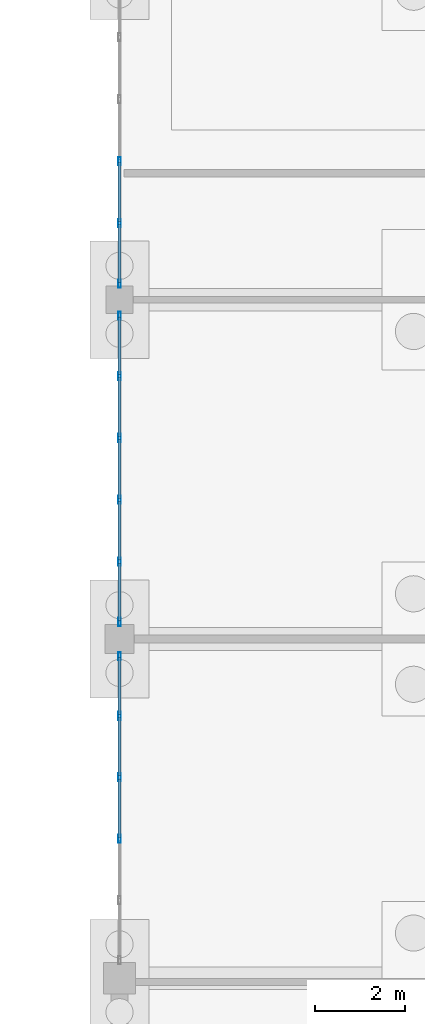
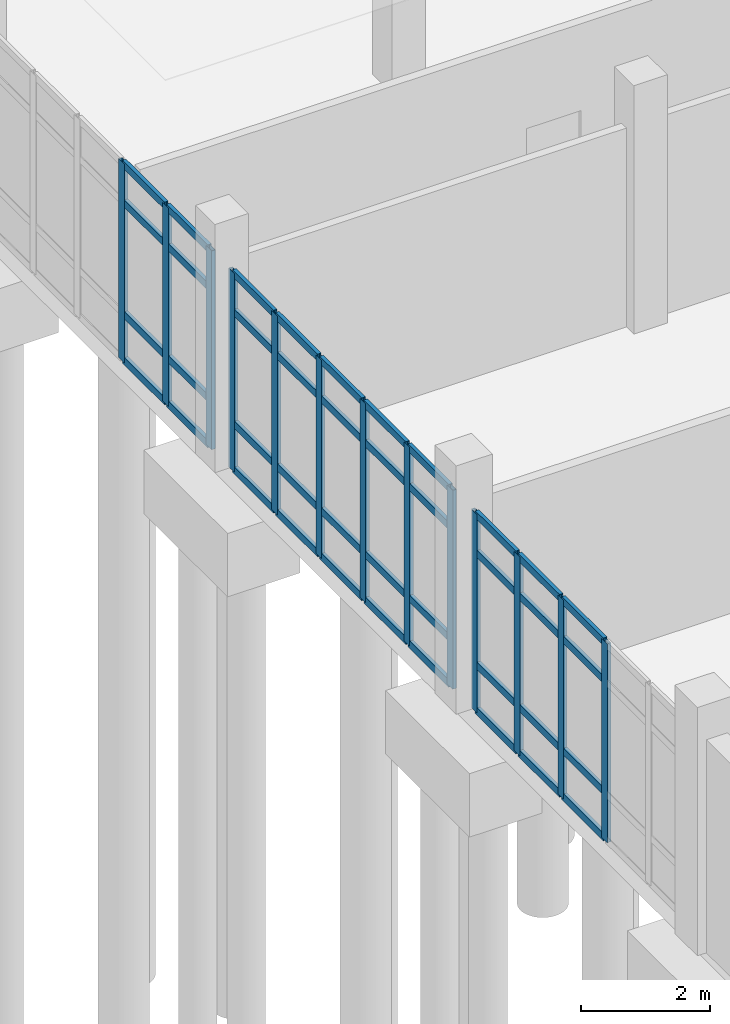
# One storey, part 41 of 173: 53 members, 3 elements without a shape of their own.
"""IFC4 building model written with IfcOpenShell, lengths in metres."""

from ifc_helpers import new_model, si_unit, direction, frame, origin, origin_2d, place, context, subcontext, project, spatial, hollow_rectangle, extrude, material, layer, layer_set, material_profile, profile_set, type_object, element, aggregate, save


model = new_model("IFC4")

# Units and contexts
model_context = context("Model", 3, precision=1e-05, world=origin(), true_north=direction((0.0, 1.0)))
body_context = subcontext(model_context, "Body", "Model", "MODEL_VIEW")
ifc_project = project(units=[si_unit("LENGTHUNIT", "METRE"), si_unit("AREAUNIT", "SQUARE_METRE"), si_unit("VOLUMEUNIT", "CUBIC_METRE"), si_unit("PLANEANGLEUNIT", "RADIAN"), si_unit("MASSUNIT", "GRAM", prefix="KILO")], contexts=[model_context])

# Site, building, storey
site_placement = place(None, origin())
site = spatial("IfcSite", under=ifc_project, at=site_placement, CompositionType="ELEMENT")
building_placement = place(site_placement, origin())
building = spatial("IfcBuilding", under=site, at=building_placement, Name="Mawjan Specialist Oncology Clinic", CompositionType="ELEMENT")
storey_placement = place(building_placement, origin())
storey = spatial("IfcBuildingStorey", under=building, at=storey_placement, Name="L00", CompositionType="ELEMENT", Elevation=0.0)

# Curtain wall, members
ifc_material_1 = material(Name="Unitised spectrally selective aluminium curtain wall", Category="aluminium")
ifc_layer_1 = layer(ifc_material_1, 0.179931640625, Name="Unitised spectrally selective aluminium curtain wall", Category="aluminium")
ifc_layer_set_1 = layer_set([ifc_layer_1], Name="Unitised spectrally selective aluminium curtain wall")
curtain_wall_type_1 = type_object("IfcCurtainWallType", Name="CW-03", PredefinedType="NOTDEFINED", material=ifc_layer_set_1)
curtain_wall_1_placement = place(storey_placement, origin())
curtain_wall_1 = element("IfcCurtainWall", 1, at=curtain_wall_1_placement, inside=storey, type_object=curtain_wall_type_1, Name="L00 Unitised Curtain Wall CW-L00-005", PredefinedType="NOTDEFINED")
ifc_material_2 = material(Name="Thermally broken aluminium 6063-T6", Category="aluminium")
ifc_material_profile_1 = material_profile(ifc_material_2, hollow_rectangle(XDim=0.06494140625, YDim=0.179931640625, WallThickness=0.00390625, at=origin_2d()), Name="ALU MULLION 180x65x4", Category="aluminium")
ifc_profile_set_1 = profile_set([ifc_material_profile_1], Name="Thermally broken aluminium 6063-T6")
member_type_1 = type_object("IfcMemberType", Name="CW-M180", PredefinedType="MULLION", material=ifc_profile_set_1)
member_1_placement = place(storey_placement, frame((0.0, 48.884033203125, 0.0), z_axis=(0.0, 0.0, 1.0), x_axis=(-1.0, 0.0, 0.0)))
member_1 = element("IfcMember", 2, at=member_1_placement, type_object=member_type_1, Name="CW-03 mullion 3", PredefinedType="MULLION", context=body_context, shape_type="SweptSolid", body=[
    extrude(hollow_rectangle(XDim=0.06494140625, YDim=0.179931640625, WallThickness=0.00390625, at=origin_2d()), origin(), (0.0, 0.0, 1.0), 3.764892578125),
])
member_2_placement = place(storey_placement, frame((0.0, 50.240966796875, 0.0), z_axis=(0.0, 0.0, 1.0), x_axis=(-1.0, 0.0, 0.0)))
member_2 = element("IfcMember", 3, at=member_2_placement, type_object=member_type_1, Name="CW-03 mullion 4", PredefinedType="MULLION", context=body_context, shape_type="SweptSolid", body=[
    extrude(hollow_rectangle(XDim=0.06494140625, YDim=0.179931640625, WallThickness=0.00390625, at=origin_2d()), origin(), (0.0, 0.0, 1.0), 3.764892578125),
])
member_3_placement = place(storey_placement, frame((0.0, 51.597900390625, 0.0), z_axis=(0.0, 0.0, 1.0), x_axis=(-1.0, 0.0, 0.0)))
member_3 = element("IfcMember", 4, at=member_3_placement, type_object=member_type_1, Name="CW-03 mullion 5", PredefinedType="MULLION", context=body_context, shape_type="SweptSolid", body=[
    extrude(hollow_rectangle(XDim=0.06494140625, YDim=0.179931640625, WallThickness=0.00390625, at=origin_2d()), origin(), (0.0, 0.0, 1.0), 3.764892578125),
])
member_4_placement = place(storey_placement, frame((0.0, 52.922607421875, 0.0), z_axis=(0.0, 0.0, 1.0), x_axis=(-1.0, 0.0, 0.0)))
member_4 = element("IfcMember", 5, at=member_4_placement, type_object=member_type_1, Name="CW-03 mullion 6", PredefinedType="MULLION", context=body_context, shape_type="SweptSolid", body=[
    extrude(hollow_rectangle(XDim=0.06494140625, YDim=0.179931640625, WallThickness=0.00390625, at=origin_2d()), origin(), (0.0, 0.0, 1.0), 3.764892578125),
])

ifc_material_3 = material(Name="Unitised spectrally selective aluminium curtain wall", Category="aluminium")
ifc_layer_2 = layer(ifc_material_3, 0.179931640625, Name="Unitised spectrally selective aluminium curtain wall", Category="aluminium")
ifc_layer_set_2 = layer_set([ifc_layer_2], Name="Unitised spectrally selective aluminium curtain wall")
curtain_wall_type_2 = type_object("IfcCurtainWallType", Name="CW-04", PredefinedType="NOTDEFINED", material=ifc_layer_set_2)
curtain_wall_2_placement = place(storey_placement, origin())
curtain_wall_2 = element("IfcCurtainWall", 6, at=curtain_wall_2_placement, inside=storey, type_object=curtain_wall_type_2, Name="L00 Unitised Curtain Wall CW-L00-006", PredefinedType="NOTDEFINED")
member_5_placement = place(storey_placement, frame((0.0, 53.677490234375, 0.0), z_axis=(0.0, 0.0, 1.0), x_axis=(-1.0, 0.0, 0.0)))
member_5 = element("IfcMember", 7, at=member_5_placement, type_object=member_type_1, Name="CW-04 mullion 1", PredefinedType="MULLION", context=body_context, shape_type="SweptSolid", body=[
    extrude(hollow_rectangle(XDim=0.06494140625, YDim=0.179931640625, WallThickness=0.00390625, at=origin_2d()), origin(), (0.0, 0.0, 1.0), 3.764892578125),
])
member_6_placement = place(storey_placement, frame((0.0, 55.011962890625, 0.0), z_axis=(0.0, 0.0, 1.0), x_axis=(-1.0, 0.0, 0.0)))
member_6 = element("IfcMember", 8, at=member_6_placement, type_object=member_type_1, Name="CW-04 mullion 2", PredefinedType="MULLION", context=body_context, shape_type="SweptSolid", body=[
    extrude(hollow_rectangle(XDim=0.06494140625, YDim=0.179931640625, WallThickness=0.00390625, at=origin_2d()), origin(), (0.0, 0.0, 1.0), 3.764892578125),
])
member_7_placement = place(storey_placement, frame((0.0, 56.37890625, 0.0), z_axis=(0.0, 0.0, 1.0), x_axis=(-1.0, 0.0, 0.0)))
member_7 = element("IfcMember", 9, at=member_7_placement, type_object=member_type_1, Name="CW-04 mullion 3", PredefinedType="MULLION", context=body_context, shape_type="SweptSolid", body=[
    extrude(hollow_rectangle(XDim=0.06494140625, YDim=0.179931640625, WallThickness=0.00390625, at=origin_2d()), origin(), (0.0, 0.0, 1.0), 3.764892578125),
])
member_8_placement = place(storey_placement, frame((0.0, 57.74609375, 0.0), z_axis=(0.0, 0.0, 1.0), x_axis=(-1.0, 0.0, 0.0)))
member_8 = element("IfcMember", 10, at=member_8_placement, type_object=member_type_1, Name="CW-04 mullion 4", PredefinedType="MULLION", context=body_context, shape_type="SweptSolid", body=[
    extrude(hollow_rectangle(XDim=0.06494140625, YDim=0.179931640625, WallThickness=0.00390625, at=origin_2d()), origin(), (0.0, 0.0, 1.0), 3.764892578125),
])
member_9_placement = place(storey_placement, frame((0.0, 59.113037109375, 0.0), z_axis=(0.0, 0.0, 1.0), x_axis=(-1.0, 0.0, 0.0)))
member_9 = element("IfcMember", 11, at=member_9_placement, type_object=member_type_1, Name="CW-04 mullion 5", PredefinedType="MULLION", context=body_context, shape_type="SweptSolid", body=[
    extrude(hollow_rectangle(XDim=0.06494140625, YDim=0.179931640625, WallThickness=0.00390625, at=origin_2d()), origin(), (0.0, 0.0, 1.0), 3.764892578125),
])
member_10_placement = place(storey_placement, frame((0.0, 60.447509765625, 0.0), z_axis=(0.0, 0.0, 1.0), x_axis=(-1.0, 0.0, 0.0)))
member_10 = element("IfcMember", 12, at=member_10_placement, type_object=member_type_1, Name="CW-04 mullion 6", PredefinedType="MULLION", context=body_context, shape_type="SweptSolid", body=[
    extrude(hollow_rectangle(XDim=0.06494140625, YDim=0.179931640625, WallThickness=0.00390625, at=origin_2d()), origin(), (0.0, 0.0, 1.0), 3.764892578125),
])

ifc_material_4 = material(Name="Unitised spectrally selective aluminium curtain wall", Category="aluminium")
ifc_layer_3 = layer(ifc_material_4, 0.179931640625, Name="Unitised spectrally selective aluminium curtain wall", Category="aluminium")
ifc_layer_set_3 = layer_set([ifc_layer_3], Name="Unitised spectrally selective aluminium curtain wall")
curtain_wall_type_3 = type_object("IfcCurtainWallType", Name="CW-05", PredefinedType="NOTDEFINED", material=ifc_layer_set_3)
curtain_wall_3_placement = place(storey_placement, origin())
curtain_wall_3 = element("IfcCurtainWall", 13, at=curtain_wall_3_placement, inside=storey, type_object=curtain_wall_type_3, Name="L00 Unitised Curtain Wall CW-L00-007", PredefinedType="NOTDEFINED")
member_11_placement = place(storey_placement, frame((0.0, 61.152587890625, 0.0), z_axis=(0.0, 0.0, 1.0), x_axis=(-1.0, 0.0, 0.0)))
member_11 = element("IfcMember", 14, at=member_11_placement, type_object=member_type_1, Name="CW-05 mullion 1", PredefinedType="MULLION", context=body_context, shape_type="SweptSolid", body=[
    extrude(hollow_rectangle(XDim=0.06494140625, YDim=0.179931640625, WallThickness=0.00390625, at=origin_2d()), origin(), (0.0, 0.0, 1.0), 3.764892578125),
])
member_12_placement = place(storey_placement, frame((0.0, 62.491943359375, 0.0), z_axis=(0.0, 0.0, 1.0), x_axis=(-1.0, 0.0, 0.0)))
member_12 = element("IfcMember", 15, at=member_12_placement, type_object=member_type_1, Name="CW-05 mullion 2", PredefinedType="MULLION", context=body_context, shape_type="SweptSolid", body=[
    extrude(hollow_rectangle(XDim=0.06494140625, YDim=0.179931640625, WallThickness=0.00390625, at=origin_2d()), origin(), (0.0, 0.0, 1.0), 3.764892578125),
])
member_13_placement = place(storey_placement, frame((0.0, 63.864013671875, 0.0), z_axis=(0.0, 0.0, 1.0), x_axis=(-1.0, 0.0, 0.0)))
member_13 = element("IfcMember", 16, at=member_13_placement, type_object=member_type_1, Name="CW-05 mullion 3", PredefinedType="MULLION", context=body_context, shape_type="SweptSolid", body=[
    extrude(hollow_rectangle(XDim=0.06494140625, YDim=0.179931640625, WallThickness=0.00390625, at=origin_2d()), origin(), (0.0, 0.0, 1.0), 3.764892578125),
])

# Member
ifc_material_5 = material(Name="Thermally broken aluminium 6063-T6", Category="aluminium")
ifc_material_profile_2 = material_profile(ifc_material_5, hollow_rectangle(XDim=0.06494140625, YDim=0.139892578125, WallThickness=0.00390625, at=origin_2d()), Name="ALU TRANSOM 140x65x4", Category="aluminium")
ifc_profile_set_2 = profile_set([ifc_material_profile_2], Name="Thermally broken aluminium 6063-T6")
member_type_2 = type_object("IfcMemberType", Name="CW-T140", PredefinedType="USERDEFINED", material=ifc_profile_set_2)
member_14_placement = place(storey_placement, frame((0.0, 48.91650390625, 0.032470703125), z_axis=(0.0, 1.0, 0.0), x_axis=(-1.0, 0.0, 0.0)))
member_14 = element("IfcMember", 17, at=member_14_placement, type_object=member_type_2, Name="CW-03 transom 3.1", ObjectType="TRANSOM", PredefinedType="USERDEFINED", context=body_context, shape_type="SweptSolid", body=[
    extrude(hollow_rectangle(XDim=0.06494140625, YDim=0.139892578125, WallThickness=0.00390625, at=origin_2d()), origin(), (0.0, 0.0, 1.0), 1.2919921875),
])

member_15_placement = place(storey_placement, frame((0.0, 48.91650390625, 0.89990234375), z_axis=(0.0, 1.0, 0.0), x_axis=(-1.0, 0.0, 0.0)))
member_15 = element("IfcMember", 18, at=member_15_placement, type_object=member_type_2, Name="CW-03 transom 3.2", ObjectType="TRANSOM", PredefinedType="USERDEFINED", context=body_context, shape_type="SweptSolid", body=[
    extrude(hollow_rectangle(XDim=0.06494140625, YDim=0.139892578125, WallThickness=0.00390625, at=origin_2d()), origin(), (0.0, 0.0, 1.0), 1.2919921875),
])

member_16_placement = place(storey_placement, frame((0.0, 48.91650390625, 3.014892578125), z_axis=(0.0, 1.0, 0.0), x_axis=(-1.0, 0.0, 0.0)))
member_16 = element("IfcMember", 19, at=member_16_placement, type_object=member_type_2, Name="CW-03 transom 3.3", ObjectType="TRANSOM", PredefinedType="USERDEFINED", context=body_context, shape_type="SweptSolid", body=[
    extrude(hollow_rectangle(XDim=0.06494140625, YDim=0.139892578125, WallThickness=0.00390625, at=origin_2d()), origin(), (0.0, 0.0, 1.0), 1.2919921875),
])

member_17_placement = place(storey_placement, frame((0.0, 48.91650390625, 3.732421875), z_axis=(0.0, 1.0, 0.0), x_axis=(-1.0, 0.0, 0.0)))
member_17 = element("IfcMember", 20, at=member_17_placement, type_object=member_type_2, Name="CW-03 transom 3.4", ObjectType="TRANSOM", PredefinedType="USERDEFINED", context=body_context, shape_type="SweptSolid", body=[
    extrude(hollow_rectangle(XDim=0.06494140625, YDim=0.139892578125, WallThickness=0.00390625, at=origin_2d()), origin(), (0.0, 0.0, 1.0), 1.2919921875),
])

member_18_placement = place(storey_placement, frame((0.0, 50.2734375, 0.032470703125), z_axis=(0.0, 1.0, 0.0), x_axis=(-1.0, 0.0, 0.0)))
member_18 = element("IfcMember", 21, at=member_18_placement, type_object=member_type_2, Name="CW-03 transom 4.1", ObjectType="TRANSOM", PredefinedType="USERDEFINED", context=body_context, shape_type="SweptSolid", body=[
    extrude(hollow_rectangle(XDim=0.06494140625, YDim=0.139892578125, WallThickness=0.00390625, at=origin_2d()), origin(), (0.0, 0.0, 1.0), 1.2919921875),
])

member_19_placement = place(storey_placement, frame((0.0, 50.2734375, 0.89990234375), z_axis=(0.0, 1.0, 0.0), x_axis=(-1.0, 0.0, 0.0)))
member_19 = element("IfcMember", 22, at=member_19_placement, type_object=member_type_2, Name="CW-03 transom 4.2", ObjectType="TRANSOM", PredefinedType="USERDEFINED", context=body_context, shape_type="SweptSolid", body=[
    extrude(hollow_rectangle(XDim=0.06494140625, YDim=0.139892578125, WallThickness=0.00390625, at=origin_2d()), origin(), (0.0, 0.0, 1.0), 1.2919921875),
])

member_20_placement = place(storey_placement, frame((0.0, 50.2734375, 3.014892578125), z_axis=(0.0, 1.0, 0.0), x_axis=(-1.0, 0.0, 0.0)))
member_20 = element("IfcMember", 23, at=member_20_placement, type_object=member_type_2, Name="CW-03 transom 4.3", ObjectType="TRANSOM", PredefinedType="USERDEFINED", context=body_context, shape_type="SweptSolid", body=[
    extrude(hollow_rectangle(XDim=0.06494140625, YDim=0.139892578125, WallThickness=0.00390625, at=origin_2d()), origin(), (0.0, 0.0, 1.0), 1.2919921875),
])

member_21_placement = place(storey_placement, frame((0.0, 50.2734375, 3.732421875), z_axis=(0.0, 1.0, 0.0), x_axis=(-1.0, 0.0, 0.0)))
member_21 = element("IfcMember", 24, at=member_21_placement, type_object=member_type_2, Name="CW-03 transom 4.4", ObjectType="TRANSOM", PredefinedType="USERDEFINED", context=body_context, shape_type="SweptSolid", body=[
    extrude(hollow_rectangle(XDim=0.06494140625, YDim=0.139892578125, WallThickness=0.00390625, at=origin_2d()), origin(), (0.0, 0.0, 1.0), 1.2919921875),
])

member_22_placement = place(storey_placement, frame((0.0, 51.630615234375, 0.032470703125), z_axis=(0.0, 1.0, 0.0), x_axis=(-1.0, 0.0, 0.0)))
member_22 = element("IfcMember", 25, at=member_22_placement, type_object=member_type_2, Name="CW-03 transom 5.1", ObjectType="TRANSOM", PredefinedType="USERDEFINED", context=body_context, shape_type="SweptSolid", body=[
    extrude(hollow_rectangle(XDim=0.06494140625, YDim=0.139892578125, WallThickness=0.00390625, at=origin_2d()), origin(), (0.0, 0.0, 1.0), 1.25927734375),
])

member_23_placement = place(storey_placement, frame((0.0, 51.630615234375, 0.89990234375), z_axis=(0.0, 1.0, 0.0), x_axis=(-1.0, 0.0, 0.0)))
member_23 = element("IfcMember", 26, at=member_23_placement, type_object=member_type_2, Name="CW-03 transom 5.2", ObjectType="TRANSOM", PredefinedType="USERDEFINED", context=body_context, shape_type="SweptSolid", body=[
    extrude(hollow_rectangle(XDim=0.06494140625, YDim=0.139892578125, WallThickness=0.00390625, at=origin_2d()), origin(), (0.0, 0.0, 1.0), 1.25927734375),
])

member_24_placement = place(storey_placement, frame((0.0, 51.630615234375, 3.014892578125), z_axis=(0.0, 1.0, 0.0), x_axis=(-1.0, 0.0, 0.0)))
member_24 = element("IfcMember", 27, at=member_24_placement, type_object=member_type_2, Name="CW-03 transom 5.3", ObjectType="TRANSOM", PredefinedType="USERDEFINED", context=body_context, shape_type="SweptSolid", body=[
    extrude(hollow_rectangle(XDim=0.06494140625, YDim=0.139892578125, WallThickness=0.00390625, at=origin_2d()), origin(), (0.0, 0.0, 1.0), 1.25927734375),
])

member_25_placement = place(storey_placement, frame((0.0, 51.630615234375, 3.732421875), z_axis=(0.0, 1.0, 0.0), x_axis=(-1.0, 0.0, 0.0)))
member_25 = element("IfcMember", 28, at=member_25_placement, type_object=member_type_2, Name="CW-03 transom 5.4", ObjectType="TRANSOM", PredefinedType="USERDEFINED", context=body_context, shape_type="SweptSolid", body=[
    extrude(hollow_rectangle(XDim=0.06494140625, YDim=0.139892578125, WallThickness=0.00390625, at=origin_2d()), origin(), (0.0, 0.0, 1.0), 1.25927734375),
])

aggregate(curtain_wall_1, [member_1, member_2, member_3, member_4, member_14, member_15, member_16, member_17, member_18, member_19, member_20, member_21, member_22, member_23, member_24, member_25])

member_26_placement = place(storey_placement, frame((0.0, 53.7099609375, 0.032470703125), z_axis=(0.0, 1.0, 0.0), x_axis=(-1.0, 0.0, 0.0)))
member_26 = element("IfcMember", 29, at=member_26_placement, type_object=member_type_2, Name="CW-04 transom 1.1", ObjectType="TRANSOM", PredefinedType="USERDEFINED", context=body_context, shape_type="SweptSolid", body=[
    extrude(hollow_rectangle(XDim=0.06494140625, YDim=0.139892578125, WallThickness=0.00390625, at=origin_2d()), origin(), (0.0, 0.0, 1.0), 1.26953125),
])

member_27_placement = place(storey_placement, frame((0.0, 53.7099609375, 0.89990234375), z_axis=(0.0, 1.0, 0.0), x_axis=(-1.0, 0.0, 0.0)))
member_27 = element("IfcMember", 30, at=member_27_placement, type_object=member_type_2, Name="CW-04 transom 1.2", ObjectType="TRANSOM", PredefinedType="USERDEFINED", context=body_context, shape_type="SweptSolid", body=[
    extrude(hollow_rectangle(XDim=0.06494140625, YDim=0.139892578125, WallThickness=0.00390625, at=origin_2d()), origin(), (0.0, 0.0, 1.0), 1.26953125),
])

member_28_placement = place(storey_placement, frame((0.0, 53.7099609375, 3.014892578125), z_axis=(0.0, 1.0, 0.0), x_axis=(-1.0, 0.0, 0.0)))
member_28 = element("IfcMember", 31, at=member_28_placement, type_object=member_type_2, Name="CW-04 transom 1.3", ObjectType="TRANSOM", PredefinedType="USERDEFINED", context=body_context, shape_type="SweptSolid", body=[
    extrude(hollow_rectangle(XDim=0.06494140625, YDim=0.139892578125, WallThickness=0.00390625, at=origin_2d()), origin(), (0.0, 0.0, 1.0), 1.26953125),
])

member_29_placement = place(storey_placement, frame((0.0, 53.7099609375, 3.732421875), z_axis=(0.0, 1.0, 0.0), x_axis=(-1.0, 0.0, 0.0)))
member_29 = element("IfcMember", 32, at=member_29_placement, type_object=member_type_2, Name="CW-04 transom 1.4", ObjectType="TRANSOM", PredefinedType="USERDEFINED", context=body_context, shape_type="SweptSolid", body=[
    extrude(hollow_rectangle(XDim=0.06494140625, YDim=0.139892578125, WallThickness=0.00390625, at=origin_2d()), origin(), (0.0, 0.0, 1.0), 1.26953125),
])

member_30_placement = place(storey_placement, frame((0.0, 55.04443359375, 0.032470703125), z_axis=(0.0, 1.0, 0.0), x_axis=(-1.0, 0.0, 0.0)))
member_30 = element("IfcMember", 33, at=member_30_placement, type_object=member_type_2, Name="CW-04 transom 2.1", ObjectType="TRANSOM", PredefinedType="USERDEFINED", context=body_context, shape_type="SweptSolid", body=[
    extrude(hollow_rectangle(XDim=0.06494140625, YDim=0.139892578125, WallThickness=0.00390625, at=origin_2d()), origin(), (0.0, 0.0, 1.0), 1.302001953125),
])

member_31_placement = place(storey_placement, frame((0.0, 55.04443359375, 0.89990234375), z_axis=(0.0, 1.0, 0.0), x_axis=(-1.0, 0.0, 0.0)))
member_31 = element("IfcMember", 34, at=member_31_placement, type_object=member_type_2, Name="CW-04 transom 2.2", ObjectType="TRANSOM", PredefinedType="USERDEFINED", context=body_context, shape_type="SweptSolid", body=[
    extrude(hollow_rectangle(XDim=0.06494140625, YDim=0.139892578125, WallThickness=0.00390625, at=origin_2d()), origin(), (0.0, 0.0, 1.0), 1.302001953125),
])

member_32_placement = place(storey_placement, frame((0.0, 55.04443359375, 3.014892578125), z_axis=(0.0, 1.0, 0.0), x_axis=(-1.0, 0.0, 0.0)))
member_32 = element("IfcMember", 35, at=member_32_placement, type_object=member_type_2, Name="CW-04 transom 2.3", ObjectType="TRANSOM", PredefinedType="USERDEFINED", context=body_context, shape_type="SweptSolid", body=[
    extrude(hollow_rectangle(XDim=0.06494140625, YDim=0.139892578125, WallThickness=0.00390625, at=origin_2d()), origin(), (0.0, 0.0, 1.0), 1.302001953125),
])

member_33_placement = place(storey_placement, frame((0.0, 55.04443359375, 3.732421875), z_axis=(0.0, 1.0, 0.0), x_axis=(-1.0, 0.0, 0.0)))
member_33 = element("IfcMember", 36, at=member_33_placement, type_object=member_type_2, Name="CW-04 transom 2.4", ObjectType="TRANSOM", PredefinedType="USERDEFINED", context=body_context, shape_type="SweptSolid", body=[
    extrude(hollow_rectangle(XDim=0.06494140625, YDim=0.139892578125, WallThickness=0.00390625, at=origin_2d()), origin(), (0.0, 0.0, 1.0), 1.302001953125),
])

member_34_placement = place(storey_placement, frame((0.0, 56.41162109375, 0.032470703125), z_axis=(0.0, 1.0, 0.0), x_axis=(-1.0, 0.0, 0.0)))
member_34 = element("IfcMember", 37, at=member_34_placement, type_object=member_type_2, Name="CW-04 transom 3.1", ObjectType="TRANSOM", PredefinedType="USERDEFINED", context=body_context, shape_type="SweptSolid", body=[
    extrude(hollow_rectangle(XDim=0.06494140625, YDim=0.139892578125, WallThickness=0.00390625, at=origin_2d()), origin(), (0.0, 0.0, 1.0), 1.3017578125),
])

member_35_placement = place(storey_placement, frame((0.0, 56.41162109375, 0.89990234375), z_axis=(0.0, 1.0, 0.0), x_axis=(-1.0, 0.0, 0.0)))
member_35 = element("IfcMember", 38, at=member_35_placement, type_object=member_type_2, Name="CW-04 transom 3.2", ObjectType="TRANSOM", PredefinedType="USERDEFINED", context=body_context, shape_type="SweptSolid", body=[
    extrude(hollow_rectangle(XDim=0.06494140625, YDim=0.139892578125, WallThickness=0.00390625, at=origin_2d()), origin(), (0.0, 0.0, 1.0), 1.3017578125),
])

member_36_placement = place(storey_placement, frame((0.0, 56.41162109375, 3.014892578125), z_axis=(0.0, 1.0, 0.0), x_axis=(-1.0, 0.0, 0.0)))
member_36 = element("IfcMember", 39, at=member_36_placement, type_object=member_type_2, Name="CW-04 transom 3.3", ObjectType="TRANSOM", PredefinedType="USERDEFINED", context=body_context, shape_type="SweptSolid", body=[
    extrude(hollow_rectangle(XDim=0.06494140625, YDim=0.139892578125, WallThickness=0.00390625, at=origin_2d()), origin(), (0.0, 0.0, 1.0), 1.3017578125),
])

member_37_placement = place(storey_placement, frame((0.0, 56.41162109375, 3.732421875), z_axis=(0.0, 1.0, 0.0), x_axis=(-1.0, 0.0, 0.0)))
member_37 = element("IfcMember", 40, at=member_37_placement, type_object=member_type_2, Name="CW-04 transom 3.4", ObjectType="TRANSOM", PredefinedType="USERDEFINED", context=body_context, shape_type="SweptSolid", body=[
    extrude(hollow_rectangle(XDim=0.06494140625, YDim=0.139892578125, WallThickness=0.00390625, at=origin_2d()), origin(), (0.0, 0.0, 1.0), 1.3017578125),
])

member_38_placement = place(storey_placement, frame((0.0, 57.778564453125, 0.032470703125), z_axis=(0.0, 1.0, 0.0), x_axis=(-1.0, 0.0, 0.0)))
member_38 = element("IfcMember", 41, at=member_38_placement, type_object=member_type_2, Name="CW-04 transom 4.1", ObjectType="TRANSOM", PredefinedType="USERDEFINED", context=body_context, shape_type="SweptSolid", body=[
    extrude(hollow_rectangle(XDim=0.06494140625, YDim=0.139892578125, WallThickness=0.00390625, at=origin_2d()), origin(), (0.0, 0.0, 1.0), 1.302001953125),
])

member_39_placement = place(storey_placement, frame((0.0, 57.778564453125, 0.89990234375), z_axis=(0.0, 1.0, 0.0), x_axis=(-1.0, 0.0, 0.0)))
member_39 = element("IfcMember", 42, at=member_39_placement, type_object=member_type_2, Name="CW-04 transom 4.2", ObjectType="TRANSOM", PredefinedType="USERDEFINED", context=body_context, shape_type="SweptSolid", body=[
    extrude(hollow_rectangle(XDim=0.06494140625, YDim=0.139892578125, WallThickness=0.00390625, at=origin_2d()), origin(), (0.0, 0.0, 1.0), 1.302001953125),
])

member_40_placement = place(storey_placement, frame((0.0, 57.778564453125, 3.014892578125), z_axis=(0.0, 1.0, 0.0), x_axis=(-1.0, 0.0, 0.0)))
member_40 = element("IfcMember", 43, at=member_40_placement, type_object=member_type_2, Name="CW-04 transom 4.3", ObjectType="TRANSOM", PredefinedType="USERDEFINED", context=body_context, shape_type="SweptSolid", body=[
    extrude(hollow_rectangle(XDim=0.06494140625, YDim=0.139892578125, WallThickness=0.00390625, at=origin_2d()), origin(), (0.0, 0.0, 1.0), 1.302001953125),
])

member_41_placement = place(storey_placement, frame((0.0, 57.778564453125, 3.732421875), z_axis=(0.0, 1.0, 0.0), x_axis=(-1.0, 0.0, 0.0)))
member_41 = element("IfcMember", 44, at=member_41_placement, type_object=member_type_2, Name="CW-04 transom 4.4", ObjectType="TRANSOM", PredefinedType="USERDEFINED", context=body_context, shape_type="SweptSolid", body=[
    extrude(hollow_rectangle(XDim=0.06494140625, YDim=0.139892578125, WallThickness=0.00390625, at=origin_2d()), origin(), (0.0, 0.0, 1.0), 1.302001953125),
])

member_42_placement = place(storey_placement, frame((0.0, 59.1455078125, 0.032470703125), z_axis=(0.0, 1.0, 0.0), x_axis=(-1.0, 0.0, 0.0)))
member_42 = element("IfcMember", 45, at=member_42_placement, type_object=member_type_2, Name="CW-04 transom 5.1", ObjectType="TRANSOM", PredefinedType="USERDEFINED", context=body_context, shape_type="SweptSolid", body=[
    extrude(hollow_rectangle(XDim=0.06494140625, YDim=0.139892578125, WallThickness=0.00390625, at=origin_2d()), origin(), (0.0, 0.0, 1.0), 1.26953125),
])

member_43_placement = place(storey_placement, frame((0.0, 59.1455078125, 0.89990234375), z_axis=(0.0, 1.0, 0.0), x_axis=(-1.0, 0.0, 0.0)))
member_43 = element("IfcMember", 46, at=member_43_placement, type_object=member_type_2, Name="CW-04 transom 5.2", ObjectType="TRANSOM", PredefinedType="USERDEFINED", context=body_context, shape_type="SweptSolid", body=[
    extrude(hollow_rectangle(XDim=0.06494140625, YDim=0.139892578125, WallThickness=0.00390625, at=origin_2d()), origin(), (0.0, 0.0, 1.0), 1.26953125),
])

member_44_placement = place(storey_placement, frame((0.0, 59.1455078125, 3.014892578125), z_axis=(0.0, 1.0, 0.0), x_axis=(-1.0, 0.0, 0.0)))
member_44 = element("IfcMember", 47, at=member_44_placement, type_object=member_type_2, Name="CW-04 transom 5.3", ObjectType="TRANSOM", PredefinedType="USERDEFINED", context=body_context, shape_type="SweptSolid", body=[
    extrude(hollow_rectangle(XDim=0.06494140625, YDim=0.139892578125, WallThickness=0.00390625, at=origin_2d()), origin(), (0.0, 0.0, 1.0), 1.26953125),
])

member_45_placement = place(storey_placement, frame((0.0, 59.1455078125, 3.732421875), z_axis=(0.0, 1.0, 0.0), x_axis=(-1.0, 0.0, 0.0)))
member_45 = element("IfcMember", 48, at=member_45_placement, type_object=member_type_2, Name="CW-04 transom 5.4", ObjectType="TRANSOM", PredefinedType="USERDEFINED", context=body_context, shape_type="SweptSolid", body=[
    extrude(hollow_rectangle(XDim=0.06494140625, YDim=0.139892578125, WallThickness=0.00390625, at=origin_2d()), origin(), (0.0, 0.0, 1.0), 1.26953125),
])

aggregate(curtain_wall_2, [member_5, member_6, member_7, member_8, member_9, member_10, member_26, member_27, member_28, member_29, member_30, member_31, member_32, member_33, member_34, member_35, member_36, member_37, member_38, member_39, member_40, member_41, member_42, member_43, member_44, member_45])

member_46_placement = place(storey_placement, frame((0.0, 61.18505859375, 0.032470703125), z_axis=(0.0, 1.0, 0.0), x_axis=(-1.0, 0.0, 0.0)))
member_46 = element("IfcMember", 49, at=member_46_placement, type_object=member_type_2, Name="CW-05 transom 1.1", ObjectType="TRANSOM", PredefinedType="USERDEFINED", context=body_context, shape_type="SweptSolid", body=[
    extrude(hollow_rectangle(XDim=0.06494140625, YDim=0.139892578125, WallThickness=0.00390625, at=origin_2d()), origin(), (0.0, 0.0, 1.0), 1.2744140625),
])

member_47_placement = place(storey_placement, frame((0.0, 61.18505859375, 0.89990234375), z_axis=(0.0, 1.0, 0.0), x_axis=(-1.0, 0.0, 0.0)))
member_47 = element("IfcMember", 50, at=member_47_placement, type_object=member_type_2, Name="CW-05 transom 1.2", ObjectType="TRANSOM", PredefinedType="USERDEFINED", context=body_context, shape_type="SweptSolid", body=[
    extrude(hollow_rectangle(XDim=0.06494140625, YDim=0.139892578125, WallThickness=0.00390625, at=origin_2d()), origin(), (0.0, 0.0, 1.0), 1.2744140625),
])

member_48_placement = place(storey_placement, frame((0.0, 61.18505859375, 3.014892578125), z_axis=(0.0, 1.0, 0.0), x_axis=(-1.0, 0.0, 0.0)))
member_48 = element("IfcMember", 51, at=member_48_placement, type_object=member_type_2, Name="CW-05 transom 1.3", ObjectType="TRANSOM", PredefinedType="USERDEFINED", context=body_context, shape_type="SweptSolid", body=[
    extrude(hollow_rectangle(XDim=0.06494140625, YDim=0.139892578125, WallThickness=0.00390625, at=origin_2d()), origin(), (0.0, 0.0, 1.0), 1.2744140625),
])

member_49_placement = place(storey_placement, frame((0.0, 61.18505859375, 3.732421875), z_axis=(0.0, 1.0, 0.0), x_axis=(-1.0, 0.0, 0.0)))
member_49 = element("IfcMember", 52, at=member_49_placement, type_object=member_type_2, Name="CW-05 transom 1.4", ObjectType="TRANSOM", PredefinedType="USERDEFINED", context=body_context, shape_type="SweptSolid", body=[
    extrude(hollow_rectangle(XDim=0.06494140625, YDim=0.139892578125, WallThickness=0.00390625, at=origin_2d()), origin(), (0.0, 0.0, 1.0), 1.2744140625),
])

member_50_placement = place(storey_placement, frame((0.0, 62.5244140625, 0.032470703125), z_axis=(0.0, 1.0, 0.0), x_axis=(-1.0, 0.0, 0.0)))
member_50 = element("IfcMember", 53, at=member_50_placement, type_object=member_type_2, Name="CW-05 transom 2.1", ObjectType="TRANSOM", PredefinedType="USERDEFINED", context=body_context, shape_type="SweptSolid", body=[
    extrude(hollow_rectangle(XDim=0.06494140625, YDim=0.139892578125, WallThickness=0.00390625, at=origin_2d()), origin(), (0.0, 0.0, 1.0), 1.30712890625),
])

member_51_placement = place(storey_placement, frame((0.0, 62.5244140625, 0.89990234375), z_axis=(0.0, 1.0, 0.0), x_axis=(-1.0, 0.0, 0.0)))
member_51 = element("IfcMember", 54, at=member_51_placement, type_object=member_type_2, Name="CW-05 transom 2.2", ObjectType="TRANSOM", PredefinedType="USERDEFINED", context=body_context, shape_type="SweptSolid", body=[
    extrude(hollow_rectangle(XDim=0.06494140625, YDim=0.139892578125, WallThickness=0.00390625, at=origin_2d()), origin(), (0.0, 0.0, 1.0), 1.30712890625),
])

member_52_placement = place(storey_placement, frame((0.0, 62.5244140625, 3.014892578125), z_axis=(0.0, 1.0, 0.0), x_axis=(-1.0, 0.0, 0.0)))
member_52 = element("IfcMember", 55, at=member_52_placement, type_object=member_type_2, Name="CW-05 transom 2.3", ObjectType="TRANSOM", PredefinedType="USERDEFINED", context=body_context, shape_type="SweptSolid", body=[
    extrude(hollow_rectangle(XDim=0.06494140625, YDim=0.139892578125, WallThickness=0.00390625, at=origin_2d()), origin(), (0.0, 0.0, 1.0), 1.30712890625),
])

member_53_placement = place(storey_placement, frame((0.0, 62.5244140625, 3.732421875), z_axis=(0.0, 1.0, 0.0), x_axis=(-1.0, 0.0, 0.0)))
member_53 = element("IfcMember", 56, at=member_53_placement, type_object=member_type_2, Name="CW-05 transom 2.4", ObjectType="TRANSOM", PredefinedType="USERDEFINED", context=body_context, shape_type="SweptSolid", body=[
    extrude(hollow_rectangle(XDim=0.06494140625, YDim=0.139892578125, WallThickness=0.00390625, at=origin_2d()), origin(), (0.0, 0.0, 1.0), 1.30712890625),
])

aggregate(curtain_wall_3, [member_11, member_12, member_13, member_46, member_47, member_48, member_49, member_50, member_51, member_52, member_53])

save(model, "model.ifc")
